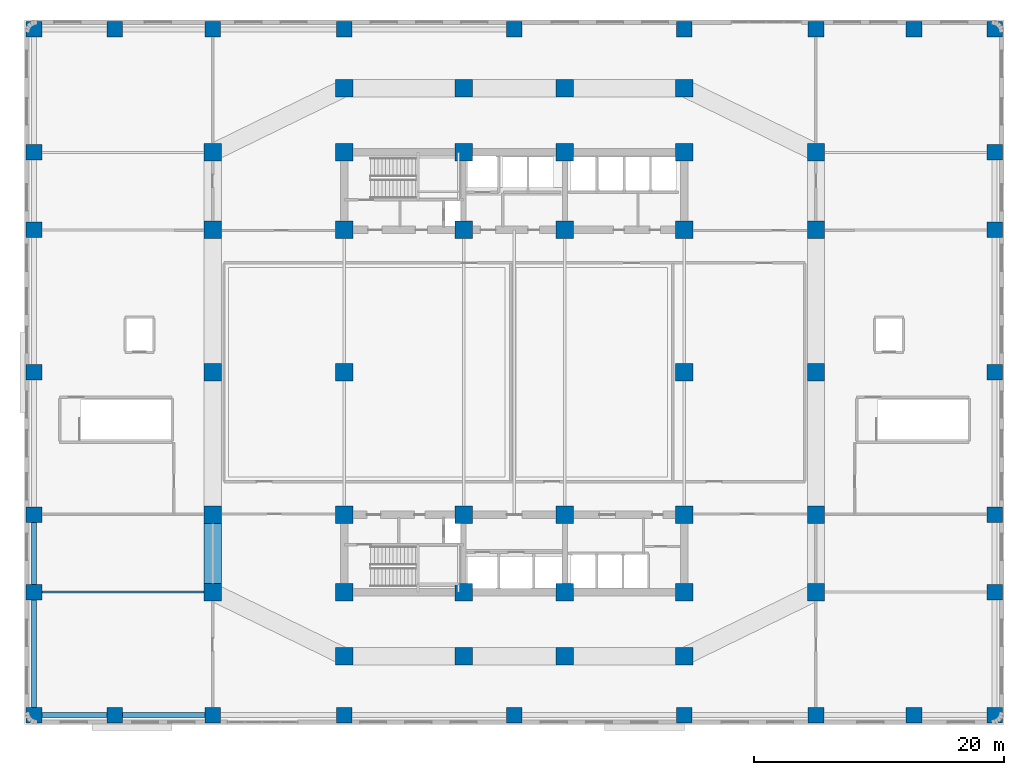
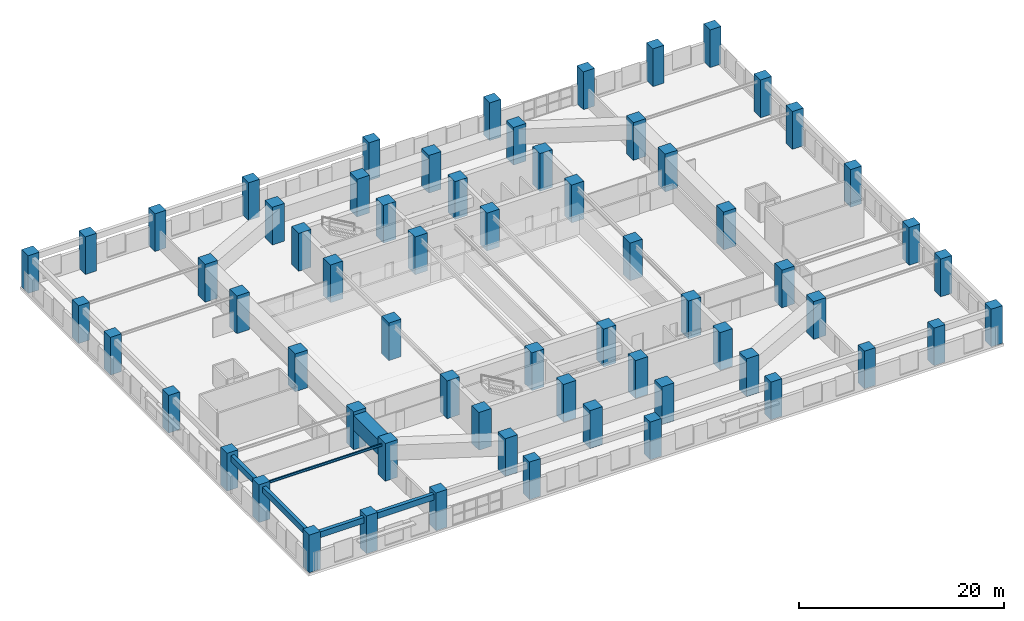
# One storey, part 1 of 13: 64 columns, 6 beams.
"""IFC4 building model written with IfcOpenShell, lengths in metres."""

import ifcopenshell
import ifcopenshell.guid

model = None  # the IFC model being written
_history = None  # IfcOwnerHistory: only IFC2X3 demands one
_inside = {}  # id of a spatial element -> (the spatial element, [elements in it])
_under = {}  # id of a project, library or spatial element -> (it, [spatial elements below it])
_declared = {}  # id of a project -> (the project, [libraries it declares])
_typed = {}  # id of a type object -> (the type object, [elements of that type])
_made_of = {}  # id of a material, layer set ... -> (it, [elements and type objects made of it])


def new_model(schema):
    """Start an empty IFC model of exactly this schema.

    Asked for "IFC4X3", IfcOpenShell would pick the latest addendum, in which some entities
    have other attributes; the version numbers below select the first issue.
    IFC2X3 requires an IfcOwnerHistory on every rooted entity: one is made here for all.
    """
    global model, _history
    if schema == "IFC4X3":
        model = ifcopenshell.file(schema_version=(4, 3, 0, 0))
    else:
        model = ifcopenshell.file(schema=schema)
    _inside.clear()
    _under.clear()
    _declared.clear()
    _typed.clear()
    _made_of.clear()
    _history = None
    if model.schema == "IFC2X3":
        org = make("IfcOrganization", Name="unknown")
        user = make(
            "IfcPersonAndOrganization",
            ThePerson=make("IfcPerson", FamilyName="unknown"),
            TheOrganization=org,
        )
        app = make(
            "IfcApplication",
            ApplicationDeveloper=org,
            Version="unknown",
            ApplicationFullName="unknown",
            ApplicationIdentifier="unknown",
        )
        _history = make(
            "IfcOwnerHistory",
            OwningUser=user,
            OwningApplication=app,
            ChangeAction="ADDED",
            CreationDate=0,
        )
    return model


def make(cls, **values):
    """One entity of the class cls with the attributes given. An attribute that is None is left unset."""
    return model.create_entity(
        cls, **{name: value for name, value in values.items() if value is not None}
    )


def rooted(cls, **values):
    """An entity with a GlobalId (a new one), such as an element, a storey or a relation."""
    return make(cls, GlobalId=ifcopenshell.guid.new(), OwnerHistory=_history, **values)


def si_unit(unit_type, name, prefix=None):
    """IfcSIUnit, for example si_unit("LENGTHUNIT", "METRE", prefix="MILLI")."""
    return make("IfcSIUnit", UnitType=unit_type, Prefix=prefix, Name=name)


def assignment(units):
    """IfcUnitAssignment: the units of a project."""
    return None if units is None else make("IfcUnitAssignment", Units=units)


def point(xyz):
    """IfcCartesianPoint."""
    return None if xyz is None else make("IfcCartesianPoint", Coordinates=xyz)


def direction(xyz):
    """IfcDirection."""
    return None if xyz is None else make("IfcDirection", DirectionRatios=xyz)


def frame(location, z_axis=None, x_axis=None):
    """IfcAxis2Placement3D, a coordinate frame: its origin and axes. An axis left out is left unset."""
    return make(
        "IfcAxis2Placement3D",
        Location=point(location),
        Axis=direction(z_axis),
        RefDirection=direction(x_axis),
    )


def frame_2d(location, x_axis=None):
    """IfcAxis2Placement2D, a coordinate frame in the plane: its origin and x axis."""
    return make(
        "IfcAxis2Placement2D", Location=point(location), RefDirection=direction(x_axis)
    )


def origin():
    """The frame at (0, 0, 0) with its axes left unset."""
    return frame((0.0, 0.0, 0.0))


def origin_2d():
    """The frame at (0, 0) in the plane with its x axis left unset."""
    return frame_2d((0.0, 0.0))


def place(relative_to, where):
    """IfcLocalPlacement: puts the frame where relative to a parent placement (None: the world)."""
    return make(
        "IfcLocalPlacement", PlacementRelTo=relative_to, RelativePlacement=where
    )


def context(
    kind, dimensions, precision=None, world=None, true_north=None, identifier=None
):
    """IfcGeometricRepresentationContext, for example the 3D "Model" context."""
    return make(
        "IfcGeometricRepresentationContext",
        ContextIdentifier=identifier,
        ContextType=kind,
        CoordinateSpaceDimension=dimensions,
        Precision=precision,
        WorldCoordinateSystem=world,
        TrueNorth=true_north,
    )


def subcontext(parent, identifier, kind, view, scale=None):
    """IfcGeometricRepresentationSubContext, for example "Body" below "Model"."""
    return make(
        "IfcGeometricRepresentationSubContext",
        ContextIdentifier=identifier,
        ContextType=kind,
        ParentContext=parent,
        TargetScale=scale,
        TargetView=view,
    )


def project(units=None, contexts=None):
    """IfcProject with its units and contexts."""
    return rooted(
        "IfcProject",
        Name="project",
        RepresentationContexts=contexts,
        UnitsInContext=assignment(units),
    )


def spatial(cls, under=None, at=None, **own):
    """A site, building, storey or space (cls), placed at a placement, below another one or the project."""
    s = rooted(cls, ObjectPlacement=at, **own)
    if under is not None:
        _under.setdefault(under.id(), (under, []))[1].append(s)
    return s


def profile(cls, at=None, kind="AREA", **sizes):
    """A parametric profile (cls). Its sizes go by their IFC names, for example OverallWidth=200.0."""
    return make(cls, ProfileType=kind, Position=at, **sizes)


def rectangle(**sizes):
    """IfcRectangleProfileDef."""
    return profile("IfcRectangleProfileDef", **sizes)


def i_section(**sizes):
    """IfcIShapeProfileDef."""
    return profile("IfcIShapeProfileDef", **sizes)


def extrude(swept, where, along, depth):
    """IfcExtrudedAreaSolid: the profile swept, set in the frame where, extruded along a direction by depth."""
    return make(
        "IfcExtrudedAreaSolid",
        SweptArea=swept,
        Position=where,
        ExtrudedDirection=direction(along),
        Depth=depth,
    )


def shape(context_of_items, identifier, shape_type, items):
    """IfcShapeRepresentation: the items that make up one representation, for example the "Body"."""
    return make(
        "IfcShapeRepresentation",
        ContextOfItems=context_of_items,
        RepresentationIdentifier=identifier,
        RepresentationType=shape_type,
        Items=items,
    )


def material(Name=None, Category=None):
    """IfcMaterial."""
    return make("IfcMaterial", Name=Name, Category=Category)


def material_profile(
    of_material, cross_section, Name=None, Category=None, Priority=None
):
    """IfcMaterialProfile: a cross section and its material."""
    return make(
        "IfcMaterialProfile",
        Name=Name,
        Material=of_material,
        Profile=cross_section,
        Priority=Priority,
        Category=Category,
    )


def profile_set(profiles, Name=None, composite=None):
    """IfcMaterialProfileSet."""
    return make(
        "IfcMaterialProfileSet",
        Name=Name,
        MaterialProfiles=profiles,
        CompositeProfile=composite,
    )


def made_of(thing, what):
    """Note that an element or type object is made of a material, layer set ...; save() writes the relation."""
    if what is not None:
        _made_of.setdefault(what.id(), (what, []))[1].append(thing)
    return thing


def type_object(cls, material=None, **own):
    """A type object (cls), such as IfcWallType, which elements share."""
    return made_of(rooted(cls, **own), material)


def element(
    cls,
    number,
    at=None,
    inside=None,
    cuts=None,
    type_object=None,
    material=None,
    context=None,
    identifier="Body",
    shape_type=None,
    held_by="IfcProductDefinitionShape",
    body=None,
    shapes=None,
    **own,
):
    """One element of the class cls, such as IfcWall. Its Tag is "e" and its number.

    at: its placement. inside: the storey or other place that contains it. cuts: it is an
    opening in that element (IfcRelVoidsElement). A single representation is given by context,
    identifier, shape_type and body (its items); several are given by shapes. held_by: the class
    of the entity that holds the representations. save() writes the other relations.
    """
    e = rooted(cls, Tag="e%d" % number, ObjectPlacement=at, **own)
    if body is not None:
        shapes = [shape(context, identifier, shape_type, body)]
    if shapes is not None:
        e.Representation = make(held_by, Representations=shapes)
    if inside is not None:
        _inside.setdefault(inside.id(), (inside, []))[1].append(e)
    if cuts is not None:
        rooted(
            "IfcRelVoidsElement", RelatingBuildingElement=cuts, RelatedOpeningElement=e
        )
    if type_object is not None:
        _typed.setdefault(type_object.id(), (type_object, []))[1].append(e)
    return made_of(e, material)


def aggregate(whole, parts):
    """IfcRelAggregates: a whole, such as a stair, and the parts it consists of."""
    return rooted("IfcRelAggregates", RelatingObject=whole, RelatedObjects=parts)


def save(model, path):
    """Write the relations noted so far, then the file.

    IfcRelAggregates (storeys below a building ...), IfcRelContainedInSpatialStructure (elements
    in a storey), IfcRelDefinesByType, IfcRelAssociatesMaterial and IfcRelDeclares: one each for
    every whole, place, type object, material and project.
    """
    for whole, parts in _under.values():
        aggregate(whole, parts)
    for where, things in _inside.values():
        rooted(
            "IfcRelContainedInSpatialStructure",
            RelatedElements=things,
            RelatingStructure=where,
        )
    for kind, things in _typed.values():
        rooted("IfcRelDefinesByType", RelatedObjects=things, RelatingType=kind)
    for what, things in _made_of.values():
        rooted("IfcRelAssociatesMaterial", RelatedObjects=things, RelatingMaterial=what)
    for by, libraries in _declared.values():
        rooted("IfcRelDeclares", RelatingContext=by, RelatedDefinitions=libraries)
    model.write(path)


model = new_model("IFC4")

# Units and contexts
model_context = context("Model", 3, precision=1e-05, world=origin(), true_north=direction((0.0, 1.0)))
body_context = subcontext(model_context, "Body", "Model", "MODEL_VIEW")
ifc_project = project(units=[si_unit("LENGTHUNIT", "METRE"), si_unit("AREAUNIT", "SQUARE_METRE"), si_unit("VOLUMEUNIT", "CUBIC_METRE"), si_unit("PLANEANGLEUNIT", "RADIAN"), si_unit("MASSUNIT", "GRAM", prefix="KILO")], contexts=[model_context])

# Site, building, storey
site_placement = place(None, origin())
site = spatial("IfcSite", under=ifc_project, at=site_placement, CompositionType="ELEMENT")
building_placement = place(site_placement, origin())
building = spatial("IfcBuilding", under=site, at=building_placement, Name="Svetorya Sky Lyceum", CompositionType="ELEMENT")
storey_placement = place(building_placement, frame((0.0, 0.0, 20.10009765625)))
storey = spatial("IfcBuildingStorey", under=building, at=storey_placement, Name="L04", CompositionType="ELEMENT", Elevation=20.10009765625)

# Columns
ifc_material_1 = material(Name="Concrete C60/75", Category="concrete")
ifc_material_profile_1 = material_profile(ifc_material_1, rectangle(XDim=1.25, YDim=1.25, at=origin_2d()), Name="RC COL 1250x1250")
ifc_profile_set_1 = profile_set([ifc_material_profile_1], Name="Concrete C60/75")
column_type_1 = type_object("IfcColumnType", Name="COL-RC-1250", PredefinedType="COLUMN", material=ifc_profile_set_1)
for number, where, z_axis, x_axis, name in (
    (1, (0.75, 0.75, 0.0), (0.0, 0.0, 1.0), (1.0, 0.0, 0.0), "L04 Podium Column PC-0101"),
    (2, (0.75, 10.60009765625, 0.0), (0.0, 0.0, 1.0), (1.0, 0.0, 0.0), "L04 Podium Column PC-0102"),
    (3, (0.75, 16.800048828125, 0.0), (0.0, 0.0, 1.0), (1.0, 0.0, 0.0), "L04 Podium Column PC-0103"),
    (4, (0.75, 28.199951171875, 0.0), (0.0, 0.0, 1.0), (1.0, 0.0, 0.0), "L04 Podium Column PC-0104"),
    (5, (0.75, 39.60009765625, 0.0), (0.0, 0.0, 1.0), (1.0, 0.0, 0.0), "L04 Podium Column PC-0105"),
    (6, (0.75, 45.800048828125, 0.0), (0.0, 0.0, 1.0), (1.0, 0.0, 0.0), "L04 Podium Column PC-0106"),
    (7, (0.75, 55.64990234375, 0.0), (0.0, 0.0, 1.0), (1.0, 0.0, 0.0), "L04 Podium Column PC-0107"),
    (8, (7.199951171875, 0.75, 0.0), (0.0, 0.0, 1.0), (1.0, 0.0, 0.0), "L04 Podium Column PC-0201"),
    (9, (7.199951171875, 55.64990234375, 0.0), (0.0, 0.0, 1.0), (1.0, 0.0, 0.0), "L04 Podium Column PC-0207"),
    (10, (15.050048828125, 0.75, 0.0), (0.0, 0.0, 1.0), (1.0, 0.0, 0.0), "L04 Podium Column PC-0301"),
    (11, (15.050048828125, 55.64990234375, 0.0), (0.0, 0.0, 1.0), (1.0, 0.0, 0.0), "L04 Podium Column PC-0307"),
    (12, (25.60009765625, 0.75, 0.0), (0.0, 0.0, 1.0), (1.0, 0.0, 0.0), "L04 Podium Column PC-0401"),
    (13, (25.60009765625, 55.64990234375, 0.0), (0.0, 0.0, 1.0), (1.0, 0.0, 0.0), "L04 Podium Column PC-0407"),
    (14, (39.199951171875, 0.75, 0.0), (0.0, 0.0, 1.0), (1.0, 0.0, 0.0), "L04 Podium Column PC-0501"),
    (15, (39.199951171875, 55.64990234375, 0.0), (0.0, 0.0, 1.0), (1.0, 0.0, 0.0), "L04 Podium Column PC-0507"),
    (16, (52.800048828125, 0.75, 0.0), (0.0, 0.0, 1.0), (1.0, 0.0, 0.0), "L04 Podium Column PC-0601"),
    (17, (52.800048828125, 55.64990234375, 0.0), (0.0, 0.0, 1.0), (1.0, 0.0, 0.0), "L04 Podium Column PC-0607"),
    (18, (63.35009765625, 0.75, 0.0), (0.0, 0.0, 1.0), (1.0, 0.0, 0.0), "L04 Podium Column PC-0701"),
    (19, (63.35009765625, 55.64990234375, 0.0), (0.0, 0.0, 1.0), (1.0, 0.0, 0.0), "L04 Podium Column PC-0707"),
    (20, (71.199951171875, 0.75, 0.0), (0.0, 0.0, 1.0), (1.0, 0.0, 0.0), "L04 Podium Column PC-0801"),
    (21, (71.199951171875, 55.64990234375, 0.0), (0.0, 0.0, 1.0), (1.0, 0.0, 0.0), "L04 Podium Column PC-0807"),
    (22, (77.64990234375, 0.75, 0.0), (0.0, 0.0, 1.0), (1.0, 0.0, 0.0), "L04 Podium Column PC-0901"),
    (23, (77.64990234375, 10.60009765625, 0.0), (0.0, 0.0, 1.0), (1.0, 0.0, 0.0), "L04 Podium Column PC-0902"),
    (24, (77.64990234375, 16.800048828125, 0.0), (0.0, 0.0, 1.0), (1.0, 0.0, 0.0), "L04 Podium Column PC-0903"),
    (25, (77.64990234375, 28.199951171875, 0.0), (0.0, 0.0, 1.0), (1.0, 0.0, 0.0), "L04 Podium Column PC-0904"),
    (26, (77.64990234375, 39.60009765625, 0.0), (0.0, 0.0, 1.0), (1.0, 0.0, 0.0), "L04 Podium Column PC-0905"),
    (27, (77.64990234375, 45.800048828125, 0.0), (0.0, 0.0, 1.0), (1.0, 0.0, 0.0), "L04 Podium Column PC-0906"),
    (28, (77.64990234375, 55.64990234375, 0.0), (0.0, 0.0, 1.0), (1.0, 0.0, 0.0), "L04 Podium Column PC-0907"),
):
    element("IfcColumn", number, at=place(storey_placement, frame(where, z_axis=z_axis, x_axis=x_axis)), inside=storey, type_object=column_type_1, Name=name, PredefinedType="COLUMN", context=body_context, shape_type="SweptSolid", body=[
        extrude(rectangle(XDim=1.25, YDim=1.25, at=origin_2d()), origin(), (0.0, 0.0, 1.0), 4.5),
    ])
ifc_material_profile_2 = material_profile(ifc_material_1, rectangle(XDim=1.39990234375, YDim=1.39990234375, at=origin_2d()), Name="RC COL 1400x1400")
ifc_profile_set_2 = profile_set([ifc_material_profile_2], Name="Concrete C60/75")
column_type_2 = type_object("IfcColumnType", Name="COL-RC-1400", PredefinedType="COLUMN", material=ifc_profile_set_2)
for number, where, z_axis, x_axis, name in (
    (29, (25.60009765625, 10.60009765625, 0.0), (0.0, 0.0, 1.0), (1.0, 0.0, 0.0), "L04 Core Column CS-11"),
    (30, (25.60009765625, 16.800048828125, 0.0), (0.0, 0.0, 1.0), (1.0, 0.0, 0.0), "L04 Core Column CS-12"),
    (31, (35.14990234375, 10.60009765625, 0.0), (0.0, 0.0, 1.0), (1.0, 0.0, 0.0), "L04 Core Column CS-21"),
    (32, (35.14990234375, 16.800048828125, 0.0), (0.0, 0.0, 1.0), (1.0, 0.0, 0.0), "L04 Core Column CS-22"),
    (33, (43.25, 10.60009765625, 0.0), (0.0, 0.0, 1.0), (1.0, 0.0, 0.0), "L04 Core Column CS-31"),
    (34, (43.25, 16.800048828125, 0.0), (0.0, 0.0, 1.0), (1.0, 0.0, 0.0), "L04 Core Column CS-32"),
    (35, (52.800048828125, 10.60009765625, 0.0), (0.0, 0.0, 1.0), (1.0, 0.0, 0.0), "L04 Core Column CS-41"),
    (36, (52.800048828125, 16.800048828125, 0.0), (0.0, 0.0, 1.0), (1.0, 0.0, 0.0), "L04 Core Column CS-42"),
    (37, (25.60009765625, 39.60009765625, 0.0), (0.0, 0.0, 1.0), (1.0, 0.0, 0.0), "L04 Core Column CN-11"),
    (38, (25.60009765625, 45.800048828125, 0.0), (0.0, 0.0, 1.0), (1.0, 0.0, 0.0), "L04 Core Column CN-12"),
    (39, (35.14990234375, 39.60009765625, 0.0), (0.0, 0.0, 1.0), (1.0, 0.0, 0.0), "L04 Core Column CN-21"),
    (40, (35.14990234375, 45.800048828125, 0.0), (0.0, 0.0, 1.0), (1.0, 0.0, 0.0), "L04 Core Column CN-22"),
    (41, (43.25, 39.60009765625, 0.0), (0.0, 0.0, 1.0), (1.0, 0.0, 0.0), "L04 Core Column CN-31"),
    (42, (43.25, 45.800048828125, 0.0), (0.0, 0.0, 1.0), (1.0, 0.0, 0.0), "L04 Core Column CN-32"),
    (43, (52.800048828125, 39.60009765625, 0.0), (0.0, 0.0, 1.0), (1.0, 0.0, 0.0), "L04 Core Column CN-41"),
    (44, (52.800048828125, 45.800048828125, 0.0), (0.0, 0.0, 1.0), (1.0, 0.0, 0.0), "L04 Core Column CN-42"),
    (45, (25.60009765625, 28.199951171875, 0.0), (0.0, 0.0, 1.0), (1.0, 0.0, 0.0), "L04 Core Column CM-W"),
    (46, (52.800048828125, 28.199951171875, 0.0), (0.0, 0.0, 1.0), (1.0, 0.0, 0.0), "L04 Core Column CM-E"),
    (47, (25.60009765625, 5.449951171875, 0.0), (0.0, 0.0, 1.0), (1.0, 0.0, 0.0), "L04 Podium Tower-Line Column S1"),
    (48, (25.60009765625, 50.949951171875, 0.0), (0.0, 0.0, 1.0), (1.0, 0.0, 0.0), "L04 Podium Tower-Line Column N1"),
    (49, (35.14990234375, 5.449951171875, 0.0), (0.0, 0.0, 1.0), (1.0, 0.0, 0.0), "L04 Podium Tower-Line Column S2"),
    (50, (35.14990234375, 50.949951171875, 0.0), (0.0, 0.0, 1.0), (1.0, 0.0, 0.0), "L04 Podium Tower-Line Column N2"),
    (51, (43.25, 5.449951171875, 0.0), (0.0, 0.0, 1.0), (1.0, 0.0, 0.0), "L04 Podium Tower-Line Column S3"),
    (52, (43.25, 50.949951171875, 0.0), (0.0, 0.0, 1.0), (1.0, 0.0, 0.0), "L04 Podium Tower-Line Column N3"),
    (53, (52.800048828125, 5.449951171875, 0.0), (0.0, 0.0, 1.0), (1.0, 0.0, 0.0), "L04 Podium Tower-Line Column S4"),
    (54, (52.800048828125, 50.949951171875, 0.0), (0.0, 0.0, 1.0), (1.0, 0.0, 0.0), "L04 Podium Tower-Line Column N4"),
    (55, (15.050048828125, 10.60009765625, 0.0), (0.0, 0.0, 1.0), (1.0, 0.0, 0.0), "L04 Podium Tower-Line Column W1"),
    (56, (63.35009765625, 10.60009765625, 0.0), (0.0, 0.0, 1.0), (1.0, 0.0, 0.0), "L04 Podium Tower-Line Column E1"),
    (57, (15.050048828125, 16.800048828125, 0.0), (0.0, 0.0, 1.0), (1.0, 0.0, 0.0), "L04 Podium Tower-Line Column W2"),
    (58, (63.35009765625, 16.800048828125, 0.0), (0.0, 0.0, 1.0), (1.0, 0.0, 0.0), "L04 Podium Tower-Line Column E2"),
    (59, (15.050048828125, 28.199951171875, 0.0), (0.0, 0.0, 1.0), (1.0, 0.0, 0.0), "L04 Podium Tower-Line Column W3"),
    (60, (63.35009765625, 28.199951171875, 0.0), (0.0, 0.0, 1.0), (1.0, 0.0, 0.0), "L04 Podium Tower-Line Column E3"),
    (61, (15.050048828125, 39.60009765625, 0.0), (0.0, 0.0, 1.0), (1.0, 0.0, 0.0), "L04 Podium Tower-Line Column W4"),
    (62, (63.35009765625, 39.60009765625, 0.0), (0.0, 0.0, 1.0), (1.0, 0.0, 0.0), "L04 Podium Tower-Line Column E4"),
    (63, (15.050048828125, 45.800048828125, 0.0), (0.0, 0.0, 1.0), (1.0, 0.0, 0.0), "L04 Podium Tower-Line Column W5"),
    (64, (63.35009765625, 45.800048828125, 0.0), (0.0, 0.0, 1.0), (1.0, 0.0, 0.0), "L04 Podium Tower-Line Column E5"),
):
    element("IfcColumn", number, at=place(storey_placement, frame(where, z_axis=z_axis, x_axis=x_axis)), inside=storey, type_object=column_type_2, Name=name, PredefinedType="COLUMN", context=body_context, shape_type="SweptSolid", body=[
        extrude(rectangle(XDim=1.39990234375, YDim=1.39990234375, at=origin_2d()), origin(), (0.0, 0.0, 1.0), 4.5),
    ])

# Beams
ifc_material_2 = material(Name="Concrete C50/60", Category="concrete")
ifc_material_profile_3 = material_profile(ifc_material_2, rectangle(XDim=0.39990234375, YDim=0.699951171875, at=origin_2d()), Name="RC SPANDREL 400x700")
ifc_profile_set_3 = profile_set([ifc_material_profile_3], Name="Concrete C50/60")
beam_type_1 = type_object("IfcBeamType", Name="BM-SPN-700", PredefinedType="SPANDREL", material=ifc_profile_set_3)
beam_1_placement = place(storey_placement, frame((0.75, 0.75, 3.75), z_axis=(1.0, 0.0, 0.0), x_axis=(0.0, 1.0, 0.0)))
element("IfcBeam", 65, at=beam_1_placement, inside=storey, type_object=beam_type_1, Name="L04 Podium South Spandrel 1", PredefinedType="SPANDREL", context=body_context, shape_type="SweptSolid", body=[
    extrude(rectangle(XDim=0.39990234375, YDim=0.699951171875, at=origin_2d()), origin(), (0.0, 0.0, 1.0), 6.449951171875),
])
beam_2_placement = place(storey_placement, frame((7.199951171875, 0.75, 3.75), z_axis=(1.0, 0.0, 0.0), x_axis=(0.0, 1.0, 0.0)))
element("IfcBeam", 66, at=beam_2_placement, inside=storey, type_object=beam_type_1, Name="L04 Podium South Spandrel 2", PredefinedType="SPANDREL", context=body_context, shape_type="SweptSolid", body=[
    extrude(rectangle(XDim=0.39990234375, YDim=0.699951171875, at=origin_2d()), origin(), (0.0, 0.0, 1.0), 7.85009765625),
])
beam_3_placement = place(storey_placement, frame((0.75, 0.75, 3.75), z_axis=(0.0, 1.0, 0.0), x_axis=(-1.0, 0.0, 0.0)))
element("IfcBeam", 67, at=beam_3_placement, inside=storey, type_object=beam_type_1, Name="L04 Podium West Spandrel 1", PredefinedType="SPANDREL", context=body_context, shape_type="SweptSolid", body=[
    extrude(rectangle(XDim=0.39990234375, YDim=0.699951171875, at=origin_2d()), origin(), (0.0, 0.0, 1.0), 9.85009765625),
])
beam_4_placement = place(storey_placement, frame((0.75, 10.60009765625, 3.75), z_axis=(0.0, 1.0, 0.0), x_axis=(-1.0, 0.0, 0.0)))
element("IfcBeam", 68, at=beam_4_placement, inside=storey, type_object=beam_type_1, Name="L04 Podium West Spandrel 2", PredefinedType="SPANDREL", context=body_context, shape_type="SweptSolid", body=[
    extrude(rectangle(XDim=0.39990234375, YDim=0.699951171875, at=origin_2d()), origin(), (0.0, 0.0, 1.0), 6.199951171875),
])
ifc_material_3 = material(Name="Steel S355", Category="steel")
ifc_material_profile_4 = material_profile(ifc_material_3, i_section(OverallWidth=0.14990234375, OverallDepth=0.299072265625, WebThickness=0.006591796875, FlangeThickness=0.010498046875, at=origin_2d()), Name="GOST 30B2")
ifc_profile_set_4 = profile_set([ifc_material_profile_4], Name="Steel S355")
beam_type_2 = type_object("IfcBeamType", Name="BM-STL-30B2", PredefinedType="JOIST", material=ifc_profile_set_4)
beam_5_placement = place(storey_placement, frame((0.75, 10.60009765625, 3.950439453125), z_axis=(1.0, 0.0, 0.0), x_axis=(0.0, 1.0, 0.0)))
element("IfcBeam", 69, at=beam_5_placement, inside=storey, type_object=beam_type_2, Name="L04 Podium Wing Joist W1", PredefinedType="JOIST", context=body_context, shape_type="SweptSolid", body=[
    extrude(i_section(OverallWidth=0.14990234375, OverallDepth=0.299072265625, WebThickness=0.006591796875, FlangeThickness=0.010498046875, at=origin_2d()), origin(), (0.0, 0.0, 1.0), 14.300048828125),
])
ifc_material_profile_5 = material_profile(ifc_material_1, rectangle(XDim=1.39990234375, YDim=1.800048828125, at=origin_2d()), Name="RC TRANSFER 1400x1800")
ifc_profile_set_5 = profile_set([ifc_material_profile_5], Name="Concrete C60/75")
beam_type_3 = type_object("IfcBeamType", Name="BM-TRF-2200", PredefinedType="BEAM", material=ifc_profile_set_5)
beam_6_placement = place(storey_placement, frame((15.050048828125, 10.60009765625, 3.199951171875), z_axis=(0.0, 1.0, 0.0), x_axis=(-1.0, 0.0, 0.0)))
element("IfcBeam", 70, at=beam_6_placement, inside=storey, type_object=beam_type_3, Name="L04 Transfer Girder TGW-1", PredefinedType="BEAM", context=body_context, shape_type="SweptSolid", body=[
    extrude(rectangle(XDim=1.39990234375, YDim=1.800048828125, at=origin_2d()), origin(), (0.0, 0.0, 1.0), 6.199951171875),
])

save(model, "model.ifc")
